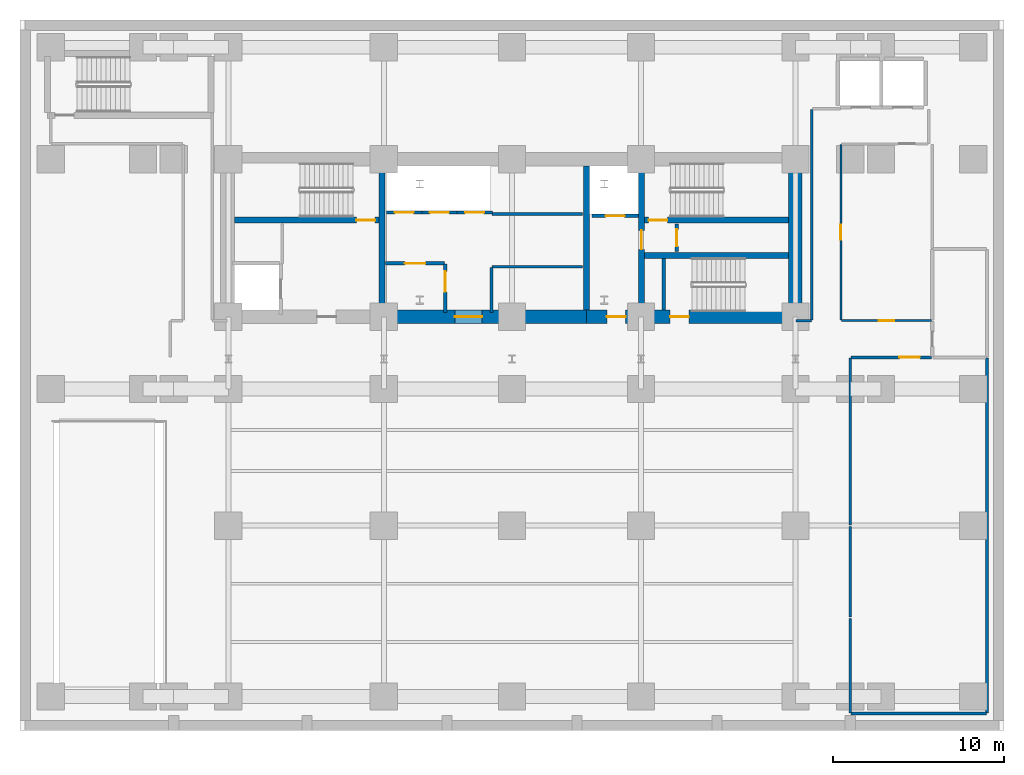
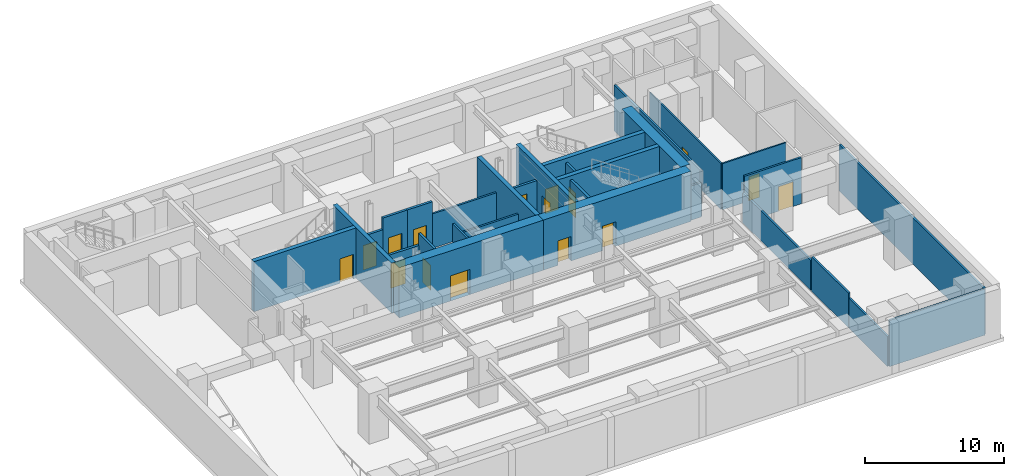
# One storey, part 3 of 8: 30 walls, 16 doors, 16 openings.
"""IFC4 building model written with IfcOpenShell, lengths in metres."""

from ifc_helpers import new_model, si_unit, direction, frame, frame_2d, origin, place, context, subcontext, project, spatial, rectangle, extrude, material, layer, layer_set, type_object, element, fill, save


model = new_model("IFC4")

# Units and contexts
model_context = context("Model", 3, precision=1e-05, world=origin(), true_north=direction((0.0, 1.0)))
body_context = subcontext(model_context, "Body", "Model", "MODEL_VIEW")
ifc_project = project(units=[si_unit("LENGTHUNIT", "METRE"), si_unit("AREAUNIT", "SQUARE_METRE"), si_unit("VOLUMEUNIT", "CUBIC_METRE"), si_unit("PLANEANGLEUNIT", "RADIAN"), si_unit("MASSUNIT", "GRAM", prefix="KILO")], contexts=[model_context])

# Site, building, storey
site_placement = place(None, origin())
site = spatial("IfcSite", under=ifc_project, at=site_placement, CompositionType="ELEMENT")
building_placement = place(site_placement, origin())
building = spatial("IfcBuilding", under=site, at=building_placement, Name="Zarnavel Station Tower", CompositionType="ELEMENT")
storey_placement = place(building_placement, frame((0.0, 0.0, -4.39990234375)))
storey = spatial("IfcBuildingStorey", under=building, at=storey_placement, Name="B01", CompositionType="ELEMENT", Elevation=-4.39990234375)

# Walls
ifc_material_1 = material(Name="Concrete C50/60", Category="concrete")
ifc_layer_1 = layer(ifc_material_1, 0.35009765625)
ifc_layer_set_1 = layer_set([ifc_layer_1], Name="CW_350")
wall_type_1 = type_object("IfcWallType", Name="CW_350", PredefinedType="SHEAR", material=ifc_layer_set_1)
for number, where, z_axis, x_axis, name in (
    (1, (21.179931640625, 28.219970703125, 0.0), (0.0, 0.0, 1.0), (0.0, 1.0, 0.0), "B01 Rear Core Shear Wall DIV-W"),
    (2, (33.14990234375, 28.219970703125, 0.0), (0.0, 0.0, 1.0), (0.0, 1.0, 0.0), "B01 Rear Core Shear Wall DIV-E"),
):
    element("IfcWall", number, at=place(storey_placement, frame(where, z_axis=z_axis, x_axis=x_axis)), inside=storey, type_object=wall_type_1, Name=name, PredefinedType="SHEAR", context=body_context, shape_type="SweptSolid", body=[
        extrude(rectangle(XDim=8.429931640625, YDim=0.35009765625, at=frame_2d((4.21484375, 0.0))), origin(), (0.0, 0.0, 1.0), 4.39990234375),
    ])

# Wall, opening, door
wall_1_placement = place(storey_placement, frame((36.3798828125, 28.219970703125, 0.0), z_axis=(0.0, 0.0, 1.0), x_axis=(0.0, 1.0, 0.0)))
wall_1 = element("IfcWall", 3, at=wall_1_placement, inside=storey, type_object=wall_type_1, Name="B01 Rear Core Shear Wall DIV-S2", PredefinedType="SHEAR", context=body_context, shape_type="SweptSolid", body=[
    extrude(rectangle(XDim=8.429931640625, YDim=0.35009765625, at=frame_2d((4.21484375, 0.0))), origin(), (0.0, 0.0, 1.0), 4.39990234375),
])
opening_1_placement = place(wall_1_placement, frame((3.56005859375, 0.0, 0.0)))
opening_1 = element("IfcOpeningElement", 4, at=opening_1_placement, cuts=wall_1, Name="Opening FD01", PredefinedType="OPENING", context=body_context, shape_type="SweptSolid", body=[
    extrude(rectangle(XDim=1.10009765625, YDim=2.14990234375, at=frame_2d((0.550048828125, 1.074951171875))), frame((0.0, 0.18505859375, 0.0), z_axis=(0.0, -1.0, 0.0), x_axis=(1.0, 0.0, 0.0)), (0.0, 0.0, 1.0), 0.3701171875),
])
ifc_material_2 = material(Name="Painted Galvanised Steel and Hardwood Leaf", Category="steel")
door_type_1 = type_object("IfcDoorType", Name="ID_STAIR_1100", OperationType="NOTDEFINED", PredefinedType="DOOR", material=ifc_material_2)
door_1_placement = place(opening_1_placement, origin())
door_1 = element("IfcDoor", 5, at=door_1_placement, inside=storey, type_object=door_type_1, Name="B01 East Stair Vestibule Fire Door", OperationType="SINGLE_SWING_LEFT", OverallHeight=2.14990234375, OverallWidth=1.10009765625, PredefinedType="DOOR", context=body_context, shape_type="SweptSolid", body=[
    extrude(rectangle(XDim=1.10009765625, YDim=2.14990234375, at=frame_2d((0.550048828125, 1.074951171875))), frame((0.0, 0.02490234375, 0.0), z_axis=(0.0, -1.0, 0.0), x_axis=(1.0, 0.0, 0.0)), (0.0, 0.0, 1.0), 0.050048828125),
])
fill(opening_1, door_1)

wall_2_placement = place(storey_placement, frame((21.0048828125, 33.47998046875, 0.0), z_axis=(0.0, 0.0, 1.0), x_axis=(-1.0, 0.0, 0.0)))
wall_2 = element("IfcWall", 6, at=wall_2_placement, inside=storey, type_object=wall_type_1, Name="B01 Rear Core Shear Wall DIV-H1", PredefinedType="SHEAR", context=body_context, shape_type="SweptSolid", body=[
    extrude(rectangle(XDim=8.454833984375, YDim=0.35009765625, at=frame_2d((4.2275390625, 0.0))), origin(), (0.0, 0.0, 1.0), 4.39990234375),
])
opening_2_placement = place(wall_2_placement, frame((0.219970703125, 0.0, 0.0)))
opening_2 = element("IfcOpeningElement", 7, at=opening_2_placement, cuts=wall_2, Name="Opening FD01", PredefinedType="OPENING", context=body_context, shape_type="SweptSolid", body=[
    extrude(rectangle(XDim=1.10009765625, YDim=2.14990234375, at=frame_2d((0.550048828125, 1.074951171875))), frame((0.0, 0.18505859375, 0.0), z_axis=(0.0, -1.0, 0.0), x_axis=(1.0, 0.0, 0.0)), (0.0, 0.0, 1.0), 0.3701171875),
])
door_2_placement = place(opening_2_placement, origin())
door_2 = element("IfcDoor", 8, at=door_2_placement, inside=storey, type_object=door_type_1, Name="B01 Stair ST1 Lobby Fire Door", OperationType="SINGLE_SWING_LEFT", OverallHeight=2.14990234375, OverallWidth=1.10009765625, PredefinedType="DOOR", context=body_context, shape_type="SweptSolid", body=[
    extrude(rectangle(XDim=1.10009765625, YDim=2.14990234375, at=frame_2d((0.550048828125, 1.074951171875))), frame((0.0, 0.02490234375, 0.0), z_axis=(0.0, -1.0, 0.0), x_axis=(1.0, 0.0, 0.0)), (0.0, 0.0, 1.0), 0.050048828125),
])
fill(opening_2, door_2)

wall_3_placement = place(storey_placement, frame((44.97998046875, 33.47998046875, 0.0), z_axis=(0.0, 0.0, 1.0), x_axis=(-1.0, 0.0, 0.0)))
wall_3 = element("IfcWall", 9, at=wall_3_placement, inside=storey, type_object=wall_type_1, Name="B01 Rear Core Shear Wall DIV-H2", PredefinedType="SHEAR", context=body_context, shape_type="SweptSolid", body=[
    extrude(rectangle(XDim=8.425048828125, YDim=0.35009765625, at=frame_2d((4.21240234375, 0.0))), origin(), (0.0, 0.0, 1.0), 4.39990234375),
])
opening_3_placement = place(wall_3_placement, frame((7.080078125, 0.0, 0.0)))
opening_3 = element("IfcOpeningElement", 10, at=opening_3_placement, cuts=wall_3, Name="Opening FD01", PredefinedType="OPENING", context=body_context, shape_type="SweptSolid", body=[
    extrude(rectangle(XDim=1.10009765625, YDim=2.14990234375, at=frame_2d((0.550048828125, 1.074951171875))), frame((0.0, 0.18505859375, 0.0), z_axis=(0.0, -1.0, 0.0), x_axis=(1.0, 0.0, 0.0)), (0.0, 0.0, 1.0), 0.3701171875),
])
door_3_placement = place(opening_3_placement, origin())
door_3 = element("IfcDoor", 11, at=door_3_placement, inside=storey, type_object=door_type_1, Name="B01 Stair ST2 Lobby Fire Door", OperationType="SINGLE_SWING_RIGHT", OverallHeight=2.14990234375, OverallWidth=1.10009765625, PredefinedType="DOOR", context=body_context, shape_type="SweptSolid", body=[
    extrude(rectangle(XDim=1.10009765625, YDim=2.14990234375, at=frame_2d((0.550048828125, 1.074951171875))), frame((0.0, 0.02490234375, 0.0), z_axis=(0.0, -1.0, 0.0), x_axis=(1.0, 0.0, 0.0)), (0.0, 0.0, 1.0), 0.050048828125),
])
fill(opening_3, door_3)

# Wall
wall_4_placement = place(storey_placement, frame((36.554931640625, 31.419921875, 0.0), z_axis=(0.0, 0.0, 1.0), x_axis=(1.0, 0.0, 0.0)))
element("IfcWall", 12, at=wall_4_placement, inside=storey, type_object=wall_type_1, Name="B01 Rear Core Shear Wall DIV-H3", PredefinedType="SHEAR", context=body_context, shape_type="SweptSolid", body=[
    extrude(rectangle(XDim=8.425048828125, YDim=0.35009765625, at=frame_2d((4.21240234375, 0.0))), origin(), (0.0, 0.0, 1.0), 4.39990234375),
])

# Wall, opening, door
ifc_material_3 = material(Name="Concrete C60/75", Category="concrete")
ifc_layer_2 = layer(ifc_material_3, 0.800048828125)
ifc_layer_set_2 = layer_set([ifc_layer_2], Name="CW_800")
wall_type_2 = type_object("IfcWallType", Name="CW_800", PredefinedType="SHEAR", material=ifc_layer_set_2)
wall_5_placement = place(storey_placement, frame((33.14990234375, 27.820068359375, 0.0), z_axis=(0.0, 0.0, 1.0), x_axis=(-1.0, 0.0, 0.0)))
wall_5 = element("IfcWall", 13, at=wall_5_placement, inside=storey, type_object=wall_type_2, Name="B01 Rear Core Shear Wall S-M", PredefinedType="SHEAR", context=body_context, shape_type="SweptSolid", body=[
    extrude(rectangle(XDim=11.969970703125, YDim=0.800048828125, at=frame_2d((5.98486328125, 0.0))), origin(), (0.0, 0.0, 1.0), 4.39990234375),
])
opening_4_placement = place(wall_5_placement, frame((6.10009765625, 0.0, 0.0)))
opening_4 = element("IfcOpeningElement", 14, at=opening_4_placement, cuts=wall_5, Name="Opening ID03", PredefinedType="OPENING", context=body_context, shape_type="SweptSolid", body=[
    extrude(rectangle(XDim=1.60009765625, YDim=2.199951171875, at=frame_2d((0.800048828125, 1.10009765625))), frame((0.0, 0.409912109375, 0.0), z_axis=(0.0, -1.0, 0.0), x_axis=(1.0, 0.0, 0.0)), (0.0, 0.0, 1.0), 0.820068359375),
])
ifc_material_4 = material(Name="Painted Galvanised Steel and Hardwood Leaf", Category="steel")
door_type_2 = type_object("IfcDoorType", Name="ID_PUBLIC_1600", OperationType="DOUBLE_DOOR_SINGLE_SWING", PredefinedType="DOOR", material=ifc_material_4)
door_4_placement = place(opening_4_placement, origin())
door_4 = element("IfcDoor", 15, at=door_4_placement, inside=storey, type_object=door_type_2, Name="B01 Passenger Lift Lobby Double Door", OperationType="SINGLE_SWING_LEFT", OverallHeight=2.199951171875, OverallWidth=1.60009765625, PredefinedType="DOOR", context=body_context, shape_type="SweptSolid", body=[
    extrude(rectangle(XDim=1.60009765625, YDim=2.199951171875, at=frame_2d((0.800048828125, 1.10009765625))), frame((0.0, 0.02490234375, 0.0), z_axis=(0.0, -1.0, 0.0), x_axis=(1.0, 0.0, 0.0)), (0.0, 0.0, 1.0), 0.050048828125),
])
fill(opening_4, door_4)

# Wall, openings, doors
wall_6_placement = place(storey_placement, frame((45.3798828125, 27.820068359375, 0.0), z_axis=(0.0, 0.0, 1.0), x_axis=(-1.0, 0.0, 0.0)))
wall_6 = element("IfcWall", 16, at=wall_6_placement, inside=storey, type_object=wall_type_2, Name="B01 Rear Core Shear Wall S-E", PredefinedType="SHEAR", context=body_context, shape_type="SweptSolid", body=[
    extrude(rectangle(XDim=12.22998046875, YDim=0.800048828125, at=frame_2d((6.114990234375, 0.0))), origin(), (0.0, 0.0, 1.0), 4.39990234375),
])
opening_5_placement = place(wall_6_placement, frame((9.929931640625, 0.0, 0.0)))
opening_5 = element("IfcOpeningElement", 17, at=opening_5_placement, cuts=wall_6, Name="Opening FD01", PredefinedType="OPENING", context=body_context, shape_type="SweptSolid", body=[
    extrude(rectangle(XDim=1.10009765625, YDim=2.14990234375, at=frame_2d((0.550048828125, 1.074951171875))), frame((0.0, 0.409912109375, 0.0), z_axis=(0.0, -1.0, 0.0), x_axis=(1.0, 0.0, 0.0)), (0.0, 0.0, 1.0), 0.820068359375),
])
opening_6_placement = place(wall_6_placement, frame((6.22998046875, 0.0, 0.0)))
opening_6 = element("IfcOpeningElement", 18, at=opening_6_placement, cuts=wall_6, Name="Opening FD01", PredefinedType="OPENING", context=body_context, shape_type="SweptSolid", body=[
    extrude(rectangle(XDim=1.10009765625, YDim=2.14990234375, at=frame_2d((0.550048828125, 1.074951171875))), frame((0.0, 0.409912109375, 0.0), z_axis=(0.0, -1.0, 0.0), x_axis=(1.0, 0.0, 0.0)), (0.0, 0.0, 1.0), 0.820068359375),
])
door_5_placement = place(opening_5_placement, origin())
door_5 = element("IfcDoor", 19, at=door_5_placement, inside=storey, type_object=door_type_1, Name="B01 East Firefighting Lobby Door", OperationType="SINGLE_SWING_LEFT", OverallHeight=2.14990234375, OverallWidth=1.10009765625, PredefinedType="DOOR", context=body_context, shape_type="SweptSolid", body=[
    extrude(rectangle(XDim=1.10009765625, YDim=2.14990234375, at=frame_2d((0.550048828125, 1.074951171875))), frame((0.0, 0.02490234375, 0.0), z_axis=(0.0, -1.0, 0.0), x_axis=(1.0, 0.0, 0.0)), (0.0, 0.0, 1.0), 0.050048828125),
])
fill(opening_5, door_5)
door_6_placement = place(opening_6_placement, origin())
door_6 = element("IfcDoor", 20, at=door_6_placement, inside=storey, type_object=door_type_1, Name="B01 Stair ST3 Corridor Fire Door", OperationType="SINGLE_SWING_RIGHT", OverallHeight=2.14990234375, OverallWidth=1.10009765625, PredefinedType="DOOR", context=body_context, shape_type="SweptSolid", body=[
    extrude(rectangle(XDim=1.10009765625, YDim=2.14990234375, at=frame_2d((0.550048828125, 1.074951171875))), frame((0.0, 0.02490234375, 0.0), z_axis=(0.0, -1.0, 0.0), x_axis=(1.0, 0.0, 0.0)), (0.0, 0.0, 1.0), 0.050048828125),
])
fill(opening_6, door_6)

# Wall
wall_7_placement = place(storey_placement, frame((45.3798828125, 28.219970703125, 0.0), z_axis=(0.0, 0.0, 1.0), x_axis=(0.0, 1.0, 0.0)))
element("IfcWall", 21, at=wall_7_placement, inside=storey, type_object=wall_type_2, Name="B01 Rear Core Shear Wall E", PredefinedType="SHEAR", context=body_context, shape_type="SweptSolid", body=[
    extrude(rectangle(XDim=8.429931640625, YDim=0.800048828125, at=frame_2d((4.21484375, 0.0))), origin(), (0.0, 0.0, 1.0), 4.39990234375),
])

# Wall, opening, door
ifc_material_5 = material(Name="Gypsum Twin-Stud Acoustic Fire Partition", Category="concrete")
ifc_layer_3 = layer(ifc_material_5, 0.159912109375)
ifc_layer_set_3 = layer_set([ifc_layer_3], Name="PT_DEMISE_160")
wall_type_3 = type_object("IfcWallType", Name="PT_DEMISE_160", PredefinedType="PARTITIONING", material=ifc_layer_set_3)
wall_8_placement = place(storey_placement, frame((48.639892578125, 25.449951171875, 0.0), z_axis=(0.0, 0.0, 1.0), x_axis=(1.0, 0.0, 0.0)))
wall_8 = element("IfcWall", 22, at=wall_8_placement, inside=storey, type_object=wall_type_3, Name="B01 Partition CON-B1-STP-E", PredefinedType="PARTITIONING", context=body_context, shape_type="SweptSolid", body=[
    extrude(rectangle(XDim=4.72021484375, YDim=0.159912109375, at=frame_2d((2.360107421875, 0.0))), origin(), (0.0, 0.0, 1.0), 4.0498046875),
])
opening_7_placement = place(wall_8_placement, frame((2.840087890625, 0.0, 0.0)))
opening_7 = element("IfcOpeningElement", 23, at=opening_7_placement, cuts=wall_8, Name="Opening FD03", PredefinedType="OPENING", context=body_context, shape_type="SweptSolid", body=[
    extrude(rectangle(XDim=1.199951171875, YDim=2.14990234375, at=frame_2d((0.60009765625, 1.074951171875))), frame((0.0, 0.08984375, 0.0), z_axis=(0.0, -1.0, 0.0), x_axis=(1.0, 0.0, 0.0)), (0.0, 0.0, 1.0), 0.179931640625),
])
ifc_material_6 = material(Name="Painted Galvanised Steel and Hardwood Leaf", Category="steel")
door_type_3 = type_object("IfcDoorType", Name="ID_PLANT_1200", OperationType="NOTDEFINED", PredefinedType="DOOR", material=ifc_material_6)
door_7_placement = place(opening_7_placement, origin())
door_7 = element("IfcDoor", 24, at=door_7_placement, inside=storey, type_object=door_type_3, Name="B01 Door CON-B1-STP-E", OperationType="SINGLE_SWING_LEFT", OverallHeight=2.14990234375, OverallWidth=1.199951171875, PredefinedType="DOOR", context=body_context, shape_type="SweptSolid", body=[
    extrude(rectangle(XDim=1.199951171875, YDim=2.14990234375, at=frame_2d((0.60009765625, 1.074951171875))), frame((0.0, 0.02490234375, 0.0), z_axis=(0.0, -1.0, 0.0), x_axis=(1.0, 0.0, 0.0)), (0.0, 0.0, 1.0), 0.050048828125),
])
fill(opening_7, door_7)

# Walls
wall_9_placement = place(storey_placement, frame((48.60009765625, 4.639892578125, 0.0), z_axis=(0.0, 0.0, 1.0), x_axis=(0.0, 1.0, 0.0)))
element("IfcWall", 25, at=wall_9_placement, inside=storey, type_object=wall_type_3, Name="B01 Partition PLT-S-STP-E", PredefinedType="PARTITIONING", context=body_context, shape_type="SweptSolid", body=[
    extrude(rectangle(XDim=5.52001953125, YDim=0.159912109375, at=frame_2d((2.760009765625, 0.0))), origin(), (0.0, 0.0, 1.0), 2.6298828125),
])
wall_10_placement = place(storey_placement, frame((48.60009765625, 10.239990234375, 0.0), z_axis=(0.0, 0.0, 1.0), x_axis=(0.0, 1.0, 0.0)))
element("IfcWall", 26, at=wall_10_placement, inside=storey, type_object=wall_type_3, Name="B01 Partition TRK-STP-E", PredefinedType="PARTITIONING", context=body_context, shape_type="SweptSolid", body=[
    extrude(rectangle(XDim=5.320068359375, YDim=0.159912109375, at=frame_2d((2.66015625, 0.0))), origin(), (0.0, 0.0, 1.0), 3.02197265625),
])
wall_11_placement = place(storey_placement, frame((48.60009765625, 15.639892578125, 0.0), z_axis=(0.0, 0.0, 1.0), x_axis=(0.0, 1.0, 0.0)))
element("IfcWall", 27, at=wall_11_placement, inside=storey, type_object=wall_type_3, Name="B01 Partition PLT-N-STP-E", PredefinedType="PARTITIONING", context=body_context, shape_type="SweptSolid", body=[
    extrude(rectangle(XDim=9.77001953125, YDim=0.159912109375, at=frame_2d((4.885009765625, 0.0))), origin(), (0.0, 0.0, 1.0), 2.6298828125),
])
for number, where, z_axis, x_axis, name in (
    (28, (27.6298828125, 30.75, 0.0), (0.0, 0.0, 1.0), (1.0, 0.0, 0.0), "B01 Enclosure Wall LLOBM"),
    (29, (27.6298828125, 33.85009765625, 0.0), (0.0, 0.0, 1.0), (1.0, 0.0, 0.0), "B01 Enclosure Wall LLOBM"),
):
    element("IfcWall", number, at=place(storey_placement, frame(where, z_axis=z_axis, x_axis=x_axis)), inside=storey, type_object=wall_type_3, Name=name, PredefinedType="PARTITIONING", context=body_context, shape_type="SweptSolid", body=[
        extrude(rectangle(XDim=5.31005859375, YDim=0.159912109375, at=frame_2d((2.655029296875, 0.0))), origin(), (0.0, 0.0, 1.0), 3.02197265625),
    ])
wall_12_placement = place(storey_placement, frame((27.60009765625, 28.080078125, 0.0), z_axis=(0.0, 0.0, 1.0), x_axis=(0.0, 1.0, 0.0)))
element("IfcWall", 30, at=wall_12_placement, inside=storey, type_object=wall_type_3, Name="B01 Enclosure Wall LLOBS", PredefinedType="PARTITIONING", context=body_context, shape_type="SweptSolid", body=[
    extrude(rectangle(XDim=2.639892578125, YDim=0.159912109375, at=frame_2d((1.31982421875, 0.0))), origin(), (0.0, 0.0, 1.0), 4.0498046875),
])
wall_13_placement = place(storey_placement, frame((45.409912109375, 27.60009765625, 0.0), z_axis=(0.0, 0.0, 1.0), x_axis=(1.0, 0.0, 0.0)))
element("IfcWall", 31, at=wall_13_placement, inside=storey, type_object=wall_type_3, Name="B01 Enclosure Wall CON-B1", PredefinedType="PARTITIONING", context=body_context, shape_type="SweptSolid", body=[
    extrude(rectangle(XDim=0.91015625, YDim=0.159912109375, at=frame_2d((0.455078125, 0.0))), origin(), (0.0, 0.0, 1.0), 3.02197265625),
])
wall_14_placement = place(storey_placement, frame((46.35009765625, 27.6298828125, 0.0), z_axis=(0.0, 0.0, 1.0), x_axis=(0.0, 1.0, 0.0)))
element("IfcWall", 32, at=wall_14_placement, inside=storey, type_object=wall_type_3, Name="B01 Enclosure Wall CON-E", PredefinedType="PARTITIONING", context=body_context, shape_type="SweptSolid", body=[
    extrude(rectangle(XDim=12.340087890625, YDim=0.159912109375, at=frame_2d((6.169921875, 0.0))), origin(), (0.0, 0.0, 1.0), 4.0498046875),
])
wall_15_placement = place(storey_placement, frame((48.6298828125, 4.60009765625, 0.0), z_axis=(0.0, 0.0, 1.0), x_axis=(1.0, 0.0, 0.0)))
element("IfcWall", 33, at=wall_15_placement, inside=storey, type_object=wall_type_3, Name="B01 Enclosure Wall STP-E", PredefinedType="PARTITIONING", context=body_context, shape_type="SweptSolid", body=[
    extrude(rectangle(XDim=7.940185546875, YDim=0.159912109375, at=frame_2d((3.97021484375, 0.0))), origin(), (0.0, 0.0, 1.0), 4.0498046875),
])
wall_16_placement = place(storey_placement, frame((56.60009765625, 4.6298828125, 0.0), z_axis=(0.0, 0.0, 1.0), x_axis=(0.0, 1.0, 0.0)))
element("IfcWall", 34, at=wall_16_placement, inside=storey, type_object=wall_type_3, Name="B01 Enclosure Wall STP-E", PredefinedType="PARTITIONING", context=body_context, shape_type="SweptSolid", body=[
    extrude(rectangle(XDim=20.7900390625, YDim=0.159912109375, at=frame_2d((10.39501953125, 0.0))), origin(), (0.0, 0.0, 1.0), 4.0498046875),
])

# Wall, opening, door
ifc_material_7 = material(Name="Gypsum Metal-Stud Interior Partition", Category="concrete")
ifc_layer_4 = layer(ifc_material_7, 0.1201171875)
ifc_layer_set_4 = layer_set([ifc_layer_4], Name="PT_ROOM_120")
wall_type_4 = type_object("IfcWallType", Name="PT_ROOM_120", PredefinedType="PARTITIONING", material=ifc_layer_set_4)
wall_17_placement = place(storey_placement, frame((48.090087890625, 27.60009765625, 0.0), z_axis=(0.0, 0.0, 1.0), x_axis=(1.0, 0.0, 0.0)))
wall_17 = element("IfcWall", 35, at=wall_17_placement, inside=storey, type_object=wall_type_4, Name="B01 Partition CON-B1-CYC", PredefinedType="PARTITIONING", context=body_context, shape_type="SweptSolid", body=[
    extrude(rectangle(XDim=5.27001953125, YDim=0.1201171875, at=frame_2d((2.635009765625, 0.0))), origin(), (0.0, 0.0, 1.0), 4.0498046875),
])
opening_8_placement = place(wall_17_placement, frame((2.18505859375, 0.0, 0.0)))
opening_8 = element("IfcOpeningElement", 36, at=opening_8_placement, cuts=wall_17, Name="Opening ID01", PredefinedType="OPENING", context=body_context, shape_type="SweptSolid", body=[
    extrude(rectangle(XDim=0.89990234375, YDim=2.10009765625, at=frame_2d((0.449951171875, 1.050048828125))), frame((0.0, 0.070068359375, 0.0), z_axis=(0.0, -1.0, 0.0), x_axis=(1.0, 0.0, 0.0)), (0.0, 0.0, 1.0), 0.14013671875),
])
ifc_material_8 = material(Name="Painted Galvanised Steel and Hardwood Leaf", Category="steel")
door_type_4 = type_object("IfcDoorType", Name="ID_ROOM_900", OperationType="NOTDEFINED", PredefinedType="DOOR", material=ifc_material_8)
door_8_placement = place(opening_8_placement, origin())
door_8 = element("IfcDoor", 37, at=door_8_placement, inside=storey, type_object=door_type_4, Name="B01 Door CON-B1-CYC", OperationType="SINGLE_SWING_LEFT", OverallHeight=2.10009765625, OverallWidth=0.89990234375, PredefinedType="DOOR", context=body_context, shape_type="SweptSolid", body=[
    extrude(rectangle(XDim=0.89990234375, YDim=2.10009765625, at=frame_2d((0.449951171875, 1.050048828125))), frame((0.0, 0.02490234375, 0.0), z_axis=(0.0, -1.0, 0.0), x_axis=(1.0, 0.0, 0.0)), (0.0, 0.0, 1.0), 0.050048828125),
])
fill(opening_8, door_8)

wall_18_placement = place(storey_placement, frame((48.050048828125, 27.639892578125, 0.0), z_axis=(0.0, 0.0, 1.0), x_axis=(0.0, 1.0, 0.0)))
wall_18 = element("IfcWall", 38, at=wall_18_placement, inside=storey, type_object=wall_type_4, Name="B01 Partition CON-E-CYC", PredefinedType="PARTITIONING", context=body_context, shape_type="SweptSolid", body=[
    extrude(rectangle(XDim=10.27001953125, YDim=0.1201171875, at=frame_2d((5.135009765625, 0.0))), origin(), (0.0, 0.0, 1.0), 4.0498046875),
])
opening_9_placement = place(wall_18_placement, frame((4.68505859375, 0.0, 0.0)))
opening_9 = element("IfcOpeningElement", 39, at=opening_9_placement, cuts=wall_18, Name="Opening ID01", PredefinedType="OPENING", context=body_context, shape_type="SweptSolid", body=[
    extrude(rectangle(XDim=0.89990234375, YDim=2.10009765625, at=frame_2d((0.449951171875, 1.050048828125))), frame((0.0, 0.070068359375, 0.0), z_axis=(0.0, -1.0, 0.0), x_axis=(1.0, 0.0, 0.0)), (0.0, 0.0, 1.0), 0.14013671875),
])
door_9_placement = place(opening_9_placement, origin())
door_9 = element("IfcDoor", 40, at=door_9_placement, inside=storey, type_object=door_type_4, Name="B01 Door CON-E-CYC", OperationType="SINGLE_SWING_RIGHT", OverallHeight=2.10009765625, OverallWidth=0.89990234375, PredefinedType="DOOR", context=body_context, shape_type="SweptSolid", body=[
    extrude(rectangle(XDim=0.89990234375, YDim=2.10009765625, at=frame_2d((0.449951171875, 1.050048828125))), frame((0.0, 0.02490234375, 0.0), z_axis=(0.0, -1.0, 0.0), x_axis=(1.0, 0.0, 0.0)), (0.0, 0.0, 1.0), 0.050048828125),
])
fill(opening_9, door_9)

ifc_material_9 = material(Name="Precast concrete C45/55 (Fire Shaft Blockwork)", Category="masonry")
ifc_layer_5 = layer(ifc_material_9, 0.199951171875)
ifc_layer_set_5 = layer_set([ifc_layer_5], Name="PT_SHAFT_200")
wall_type_5 = type_object("IfcWallType", Name="PT_SHAFT_200", PredefinedType="PARTITIONING", material=ifc_layer_set_5)
wall_19_placement = place(storey_placement, frame((33.47509765625, 33.72998046875, 0.0), z_axis=(0.0, 0.0, 1.0), x_axis=(1.0, 0.0, 0.0)))
wall_19 = element("IfcWall", 41, at=wall_19_placement, inside=storey, type_object=wall_type_5, Name="B01 Lift FFL-02 Shaft Front Wall", PredefinedType="PARTITIONING", context=body_context, shape_type="SweptSolid", body=[
    extrude(rectangle(XDim=2.724853515625, YDim=0.199951171875, at=frame_2d((1.3623046875, 0.0))), origin(), (0.0, 0.0, 1.0), 3.02197265625),
])
opening_10_placement = place(wall_19_placement, frame((0.8125, 0.0, 0.0)))
opening_10 = element("IfcOpeningElement", 42, at=opening_10_placement, cuts=wall_19, Name="Opening LD01", PredefinedType="OPENING", context=body_context, shape_type="SweptSolid", body=[
    extrude(rectangle(XDim=1.10009765625, YDim=2.14990234375, at=frame_2d((0.550048828125, 1.074951171875))), frame((0.0, 0.10986328125, 0.0), z_axis=(0.0, -1.0, 0.0), x_axis=(1.0, 0.0, 0.0)), (0.0, 0.0, 1.0), 0.219970703125),
])
ifc_material_10 = material(Name="Painted Galvanised Steel and Hardwood Leaf", Category="steel")
door_type_5 = type_object("IfcDoorType", Name="LD_FF_1100", OperationType="DOUBLE_DOOR_SLIDING", PredefinedType="DOOR", material=ifc_material_10)
door_10_placement = place(opening_10_placement, origin())
door_10 = element("IfcDoor", 43, at=door_10_placement, inside=storey, type_object=door_type_5, Name="B01 Lift FFL-02 Sliding Landing Door", OperationType="DOUBLE_DOOR_SLIDING", OverallHeight=2.14990234375, OverallWidth=1.10009765625, PredefinedType="DOOR", context=body_context, shape_type="SweptSolid", body=[
    extrude(rectangle(XDim=1.10009765625, YDim=2.14990234375, at=frame_2d((0.550048828125, 1.074951171875))), frame((0.0, 0.02490234375, 0.0), z_axis=(0.0, -1.0, 0.0), x_axis=(1.0, 0.0, 0.0)), (0.0, 0.0, 1.0), 0.050048828125),
])
fill(opening_10, door_10)

wall_20_placement = place(storey_placement, frame((21.4599609375, 33.929931640625, 0.0), z_axis=(0.0, 0.0, 1.0), x_axis=(1.0, 0.0, 0.0)))
wall_20 = element("IfcWall", 44, at=wall_20_placement, inside=storey, type_object=wall_type_5, Name="B01 Lift PL-L1 Shaft Front Wall", PredefinedType="PARTITIONING", context=body_context, shape_type="SweptSolid", body=[
    extrude(rectangle(XDim=2.06494140625, YDim=0.199951171875, at=frame_2d((1.032470703125, 0.0))), origin(), (0.0, 0.0, 1.0), 3.02197265625),
])
opening_11_placement = place(wall_20_placement, frame((0.482421875, 0.0, 0.0)))
opening_11 = element("IfcOpeningElement", 45, at=opening_11_placement, cuts=wall_20, Name="Opening LD02", PredefinedType="OPENING", context=body_context, shape_type="SweptSolid", body=[
    extrude(rectangle(XDim=1.10009765625, YDim=2.14990234375, at=frame_2d((0.550048828125, 1.074951171875))), frame((0.0, 0.10986328125, 0.0), z_axis=(0.0, -1.0, 0.0), x_axis=(1.0, 0.0, 0.0)), (0.0, 0.0, 1.0), 0.219970703125),
])
ifc_material_11 = material(Name="Painted Galvanised Steel and Hardwood Leaf", Category="steel")
door_type_6 = type_object("IfcDoorType", Name="LD_PAX_1100", OperationType="DOUBLE_DOOR_SLIDING", PredefinedType="DOOR", material=ifc_material_11)
door_11_placement = place(opening_11_placement, origin())
door_11 = element("IfcDoor", 46, at=door_11_placement, inside=storey, type_object=door_type_6, Name="B01 Lift PL-L1 Sliding Landing Door", OperationType="DOUBLE_DOOR_SLIDING", OverallHeight=2.14990234375, OverallWidth=1.10009765625, PredefinedType="DOOR", context=body_context, shape_type="SweptSolid", body=[
    extrude(rectangle(XDim=1.10009765625, YDim=2.14990234375, at=frame_2d((0.550048828125, 1.074951171875))), frame((0.0, 0.02490234375, 0.0), z_axis=(0.0, -1.0, 0.0), x_axis=(1.0, 0.0, 0.0)), (0.0, 0.0, 1.0), 0.050048828125),
])
fill(opening_11, door_11)

wall_21_placement = place(storey_placement, frame((23.52490234375, 33.929931640625, 0.0), z_axis=(0.0, 0.0, 1.0), x_axis=(1.0, 0.0, 0.0)))
wall_21 = element("IfcWall", 47, at=wall_21_placement, inside=storey, type_object=wall_type_5, Name="B01 Lift PL-L2 Shaft Front Wall", PredefinedType="PARTITIONING", context=body_context, shape_type="SweptSolid", body=[
    extrude(rectangle(XDim=2.050048828125, YDim=0.199951171875, at=frame_2d((1.02490234375, 0.0))), origin(), (0.0, 0.0, 1.0), 4.0498046875),
])
opening_12_placement = place(wall_21_placement, frame((0.47509765625, 0.0, 0.0)))
opening_12 = element("IfcOpeningElement", 48, at=opening_12_placement, cuts=wall_21, Name="Opening LD02", PredefinedType="OPENING", context=body_context, shape_type="SweptSolid", body=[
    extrude(rectangle(XDim=1.10009765625, YDim=2.14990234375, at=frame_2d((0.550048828125, 1.074951171875))), frame((0.0, 0.10986328125, 0.0), z_axis=(0.0, -1.0, 0.0), x_axis=(1.0, 0.0, 0.0)), (0.0, 0.0, 1.0), 0.219970703125),
])
door_12_placement = place(opening_12_placement, origin())
door_12 = element("IfcDoor", 49, at=door_12_placement, inside=storey, type_object=door_type_6, Name="B01 Lift PL-L2 Sliding Landing Door", OperationType="DOUBLE_DOOR_SLIDING", OverallHeight=2.14990234375, OverallWidth=1.10009765625, PredefinedType="DOOR", context=body_context, shape_type="SweptSolid", body=[
    extrude(rectangle(XDim=1.10009765625, YDim=2.14990234375, at=frame_2d((0.550048828125, 1.074951171875))), frame((0.0, 0.02490234375, 0.0), z_axis=(0.0, -1.0, 0.0), x_axis=(1.0, 0.0, 0.0)), (0.0, 0.0, 1.0), 0.050048828125),
])
fill(opening_12, door_12)

wall_22_placement = place(storey_placement, frame((25.574951171875, 33.929931640625, 0.0), z_axis=(0.0, 0.0, 1.0), x_axis=(1.0, 0.0, 0.0)))
wall_22 = element("IfcWall", 50, at=wall_22_placement, inside=storey, type_object=wall_type_5, Name="B01 Lift PL-L3 Shaft Front Wall", PredefinedType="PARTITIONING", context=body_context, shape_type="SweptSolid", body=[
    extrude(rectangle(XDim=2.074951171875, YDim=0.199951171875, at=frame_2d((1.03759765625, 0.0))), origin(), (0.0, 0.0, 1.0), 4.0498046875),
])
opening_13_placement = place(wall_22_placement, frame((0.487548828125, 0.0, 0.0)))
opening_13 = element("IfcOpeningElement", 51, at=opening_13_placement, cuts=wall_22, Name="Opening LD02", PredefinedType="OPENING", context=body_context, shape_type="SweptSolid", body=[
    extrude(rectangle(XDim=1.10009765625, YDim=2.14990234375, at=frame_2d((0.550048828125, 1.074951171875))), frame((0.0, 0.10986328125, 0.0), z_axis=(0.0, -1.0, 0.0), x_axis=(1.0, 0.0, 0.0)), (0.0, 0.0, 1.0), 0.219970703125),
])
door_13_placement = place(opening_13_placement, origin())
door_13 = element("IfcDoor", 52, at=door_13_placement, inside=storey, type_object=door_type_6, Name="B01 Lift PL-L3 Sliding Landing Door", OperationType="DOUBLE_DOOR_SLIDING", OverallHeight=2.14990234375, OverallWidth=1.10009765625, PredefinedType="DOOR", context=body_context, shape_type="SweptSolid", body=[
    extrude(rectangle(XDim=1.10009765625, YDim=2.14990234375, at=frame_2d((0.550048828125, 1.074951171875))), frame((0.0, 0.02490234375, 0.0), z_axis=(0.0, -1.0, 0.0), x_axis=(1.0, 0.0, 0.0)), (0.0, 0.0, 1.0), 0.050048828125),
])
fill(opening_13, door_13)

# Wall
wall_23_placement = place(storey_placement, frame((37.679931640625, 28.219970703125, 0.0), z_axis=(0.0, 0.0, 1.0), x_axis=(0.0, 1.0, 0.0)))
element("IfcWall", 53, at=wall_23_placement, inside=storey, type_object=wall_type_5, Name="B01 Stair ST3 West Shaft Wall", PredefinedType="PARTITIONING", context=body_context, shape_type="SweptSolid", body=[
    extrude(rectangle(XDim=3.030029296875, YDim=0.199951171875, at=frame_2d((1.51513671875, 0.0))), origin(), (0.0, 0.0, 1.0), 4.0498046875),
])

# Wall, opening, door
wall_24_placement = place(storey_placement, frame((38.449951171875, 31.639892578125, 0.0), z_axis=(0.0, 0.0, 1.0), x_axis=(0.0, 1.0, 0.0)))
wall_24 = element("IfcWall", 54, at=wall_24_placement, inside=storey, type_object=wall_type_5, Name="B01 Partition ESTV-CEA", PredefinedType="PARTITIONING", context=body_context, shape_type="SweptSolid", body=[
    extrude(rectangle(XDim=1.6201171875, YDim=0.199951171875, at=frame_2d((0.81005859375, 0.0))), origin(), (0.0, 0.0, 1.0), 4.0498046875),
])
opening_14_placement = place(wall_24_placement, frame((0.31005859375, 0.0, 0.0)))
opening_14 = element("IfcOpeningElement", 55, at=opening_14_placement, cuts=wall_24, Name="Opening FD02", PredefinedType="OPENING", context=body_context, shape_type="SweptSolid", body=[
    extrude(rectangle(XDim=1.0, YDim=2.14990234375, at=frame_2d((0.5, 1.074951171875))), frame((0.0, 0.10986328125, 0.0), z_axis=(0.0, -1.0, 0.0), x_axis=(1.0, 0.0, 0.0)), (0.0, 0.0, 1.0), 0.219970703125),
])
ifc_material_12 = material(Name="Painted Galvanised Steel and Hardwood Leaf", Category="steel")
door_type_7 = type_object("IfcDoorType", Name="ID_ENTRY_1000", OperationType="NOTDEFINED", PredefinedType="DOOR", material=ifc_material_12)
door_14_placement = place(opening_14_placement, origin())
door_14 = element("IfcDoor", 56, at=door_14_placement, inside=storey, type_object=door_type_7, Name="B01 Door ESTV-CEA", OperationType="SINGLE_SWING_RIGHT", OverallHeight=2.14990234375, OverallWidth=1.0, PredefinedType="DOOR", context=body_context, shape_type="SweptSolid", body=[
    extrude(rectangle(XDim=1.0, YDim=2.14990234375, at=frame_2d((0.5, 1.074951171875))), frame((0.0, 0.02490234375, 0.0), z_axis=(0.0, -1.0, 0.0), x_axis=(1.0, 0.0, 0.0)), (0.0, 0.0, 1.0), 0.050048828125),
])
fill(opening_14, door_14)

wall_25_placement = place(storey_placement, frame((21.39990234375, 30.949951171875, 0.0), z_axis=(0.0, 0.0, 1.0), x_axis=(1.0, 0.0, 0.0)))
wall_25 = element("IfcWall", 57, at=wall_25_placement, inside=storey, type_object=wall_type_5, Name="B01 Partition LLOB-CS1", PredefinedType="PARTITIONING", context=body_context, shape_type="SweptSolid", body=[
    extrude(rectangle(XDim=3.460205078125, YDim=0.199951171875, at=frame_2d((1.72998046875, 0.0))), origin(), (0.0, 0.0, 1.0), 3.02197265625),
])
opening_15_placement = place(wall_25_placement, frame((1.1298828125, 0.0, 0.0)))
opening_15 = element("IfcOpeningElement", 58, at=opening_15_placement, cuts=wall_25, Name="Opening FD03", PredefinedType="OPENING", context=body_context, shape_type="SweptSolid", body=[
    extrude(rectangle(XDim=1.199951171875, YDim=2.14990234375, at=frame_2d((0.60009765625, 1.074951171875))), frame((0.0, 0.10986328125, 0.0), z_axis=(0.0, -1.0, 0.0), x_axis=(1.0, 0.0, 0.0)), (0.0, 0.0, 1.0), 0.219970703125),
])
door_15_placement = place(opening_15_placement, origin())
door_15 = element("IfcDoor", 59, at=door_15_placement, inside=storey, type_object=door_type_3, Name="B01 Door LLOB-CS1", OperationType="SINGLE_SWING_LEFT", OverallHeight=2.14990234375, OverallWidth=1.199951171875, PredefinedType="DOOR", context=body_context, shape_type="SweptSolid", body=[
    extrude(rectangle(XDim=1.199951171875, YDim=2.14990234375, at=frame_2d((0.60009765625, 1.074951171875))), frame((0.0, 0.02490234375, 0.0), z_axis=(0.0, -1.0, 0.0), x_axis=(1.0, 0.0, 0.0)), (0.0, 0.0, 1.0), 0.050048828125),
])
fill(opening_15, door_15)

wall_26_placement = place(storey_placement, frame((24.89990234375, 28.090087890625, 0.0), z_axis=(0.0, 0.0, 1.0), x_axis=(0.0, 1.0, 0.0)))
wall_26 = element("IfcWall", 60, at=wall_26_placement, inside=storey, type_object=wall_type_5, Name="B01 Partition LLOBS-CS1", PredefinedType="PARTITIONING", context=body_context, shape_type="SweptSolid", body=[
    extrude(rectangle(XDim=2.81982421875, YDim=0.199951171875, at=frame_2d((1.409912109375, 0.0))), origin(), (0.0, 0.0, 1.0), 4.0498046875),
])
opening_16_placement = place(wall_26_placement, frame((1.20068359375, 0.0, 0.0)))
opening_16 = element("IfcOpeningElement", 61, at=opening_16_placement, cuts=wall_26, Name="Opening FD03", PredefinedType="OPENING", context=body_context, shape_type="SweptSolid", body=[
    extrude(rectangle(XDim=1.199951171875, YDim=2.14990234375, at=frame_2d((0.60009765625, 1.074951171875))), frame((0.0, 0.10986328125, 0.0), z_axis=(0.0, -1.0, 0.0), x_axis=(1.0, 0.0, 0.0)), (0.0, 0.0, 1.0), 0.219970703125),
])
door_16_placement = place(opening_16_placement, origin())
door_16 = element("IfcDoor", 62, at=door_16_placement, inside=storey, type_object=door_type_3, Name="B01 Door LLOBS-CS1", OperationType="SINGLE_SWING_RIGHT", OverallHeight=2.14990234375, OverallWidth=1.199951171875, PredefinedType="DOOR", context=body_context, shape_type="SweptSolid", body=[
    extrude(rectangle(XDim=1.199951171875, YDim=2.14990234375, at=frame_2d((0.60009765625, 1.074951171875))), frame((0.0, 0.02490234375, 0.0), z_axis=(0.0, -1.0, 0.0), x_axis=(1.0, 0.0, 0.0)), (0.0, 0.0, 1.0), 0.050048828125),
])
fill(opening_16, door_16)

save(model, "model.ifc")
